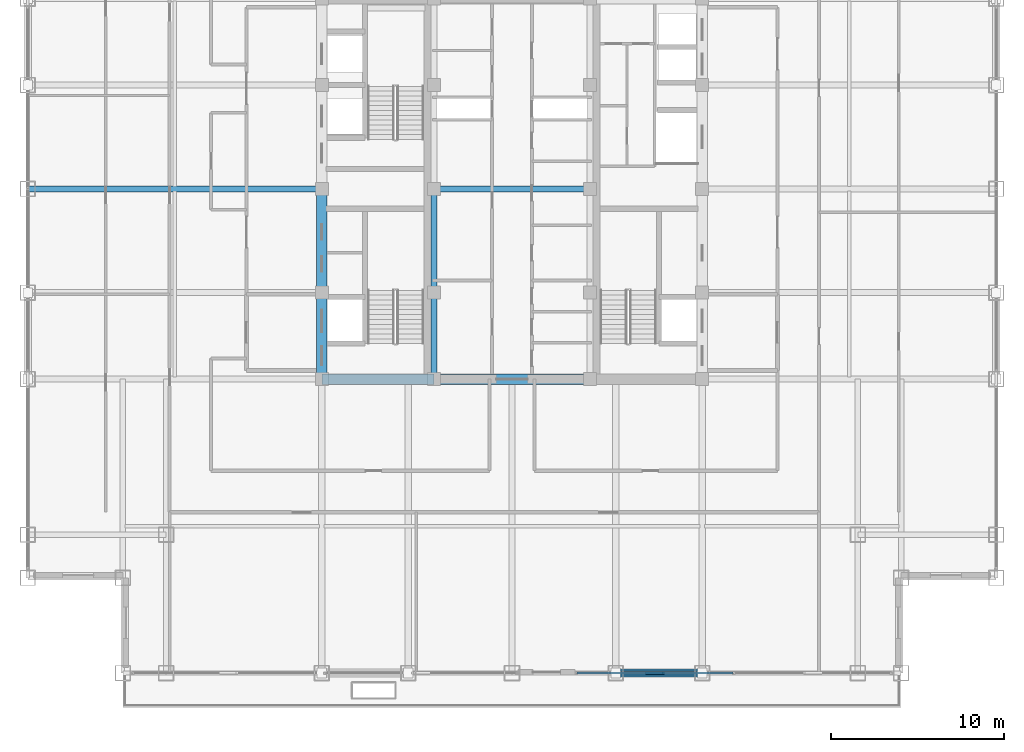
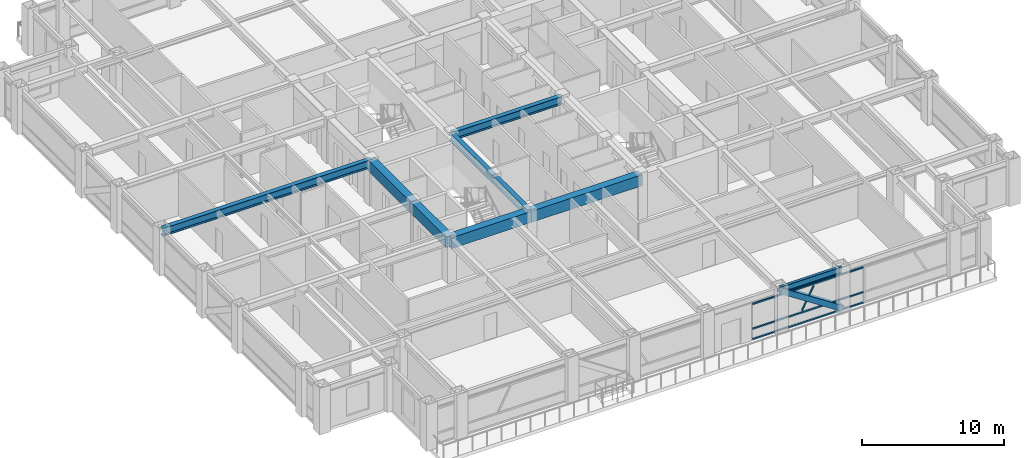
# One storey, part 8 of 32: 9 beams, 5 members, 1 element without a shape of its own.
"""IFC4 building model written with IfcOpenShell, lengths in metres."""

import ifcopenshell
import ifcopenshell.guid

model = None  # the IFC model being written
_history = None  # IfcOwnerHistory: only IFC2X3 demands one
_inside = {}  # id of a spatial element -> (the spatial element, [elements in it])
_under = {}  # id of a project, library or spatial element -> (it, [spatial elements below it])
_declared = {}  # id of a project -> (the project, [libraries it declares])
_typed = {}  # id of a type object -> (the type object, [elements of that type])
_made_of = {}  # id of a material, layer set ... -> (it, [elements and type objects made of it])


def new_model(schema):
    """Start an empty IFC model of exactly this schema.

    Asked for "IFC4X3", IfcOpenShell would pick the latest addendum, in which some entities
    have other attributes; the version numbers below select the first issue.
    IFC2X3 requires an IfcOwnerHistory on every rooted entity: one is made here for all.
    """
    global model, _history
    if schema == "IFC4X3":
        model = ifcopenshell.file(schema_version=(4, 3, 0, 0))
    else:
        model = ifcopenshell.file(schema=schema)
    _inside.clear()
    _under.clear()
    _declared.clear()
    _typed.clear()
    _made_of.clear()
    _history = None
    if model.schema == "IFC2X3":
        org = make("IfcOrganization", Name="unknown")
        user = make(
            "IfcPersonAndOrganization",
            ThePerson=make("IfcPerson", FamilyName="unknown"),
            TheOrganization=org,
        )
        app = make(
            "IfcApplication",
            ApplicationDeveloper=org,
            Version="unknown",
            ApplicationFullName="unknown",
            ApplicationIdentifier="unknown",
        )
        _history = make(
            "IfcOwnerHistory",
            OwningUser=user,
            OwningApplication=app,
            ChangeAction="ADDED",
            CreationDate=0,
        )
    return model


def make(cls, **values):
    """One entity of the class cls with the attributes given. An attribute that is None is left unset."""
    return model.create_entity(
        cls, **{name: value for name, value in values.items() if value is not None}
    )


def rooted(cls, **values):
    """An entity with a GlobalId (a new one), such as an element, a storey or a relation."""
    return make(cls, GlobalId=ifcopenshell.guid.new(), OwnerHistory=_history, **values)


def si_unit(unit_type, name, prefix=None):
    """IfcSIUnit, for example si_unit("LENGTHUNIT", "METRE", prefix="MILLI")."""
    return make("IfcSIUnit", UnitType=unit_type, Prefix=prefix, Name=name)


def assignment(units):
    """IfcUnitAssignment: the units of a project."""
    return None if units is None else make("IfcUnitAssignment", Units=units)


def point(xyz):
    """IfcCartesianPoint."""
    return None if xyz is None else make("IfcCartesianPoint", Coordinates=xyz)


def direction(xyz):
    """IfcDirection."""
    return None if xyz is None else make("IfcDirection", DirectionRatios=xyz)


def frame(location, z_axis=None, x_axis=None):
    """IfcAxis2Placement3D, a coordinate frame: its origin and axes. An axis left out is left unset."""
    return make(
        "IfcAxis2Placement3D",
        Location=point(location),
        Axis=direction(z_axis),
        RefDirection=direction(x_axis),
    )


def frame_2d(location, x_axis=None):
    """IfcAxis2Placement2D, a coordinate frame in the plane: its origin and x axis."""
    return make(
        "IfcAxis2Placement2D", Location=point(location), RefDirection=direction(x_axis)
    )


def origin():
    """The frame at (0, 0, 0) with its axes left unset."""
    return frame((0.0, 0.0, 0.0))


def origin_2d():
    """The frame at (0, 0) in the plane with its x axis left unset."""
    return frame_2d((0.0, 0.0))


def place(relative_to, where):
    """IfcLocalPlacement: puts the frame where relative to a parent placement (None: the world)."""
    return make(
        "IfcLocalPlacement", PlacementRelTo=relative_to, RelativePlacement=where
    )


def context(
    kind, dimensions, precision=None, world=None, true_north=None, identifier=None
):
    """IfcGeometricRepresentationContext, for example the 3D "Model" context."""
    return make(
        "IfcGeometricRepresentationContext",
        ContextIdentifier=identifier,
        ContextType=kind,
        CoordinateSpaceDimension=dimensions,
        Precision=precision,
        WorldCoordinateSystem=world,
        TrueNorth=true_north,
    )


def subcontext(parent, identifier, kind, view, scale=None):
    """IfcGeometricRepresentationSubContext, for example "Body" below "Model"."""
    return make(
        "IfcGeometricRepresentationSubContext",
        ContextIdentifier=identifier,
        ContextType=kind,
        ParentContext=parent,
        TargetScale=scale,
        TargetView=view,
    )


def project(units=None, contexts=None):
    """IfcProject with its units and contexts."""
    return rooted(
        "IfcProject",
        Name="project",
        RepresentationContexts=contexts,
        UnitsInContext=assignment(units),
    )


def spatial(cls, under=None, at=None, **own):
    """A site, building, storey or space (cls), placed at a placement, below another one or the project."""
    s = rooted(cls, ObjectPlacement=at, **own)
    if under is not None:
        _under.setdefault(under.id(), (under, []))[1].append(s)
    return s


def profile(cls, at=None, kind="AREA", **sizes):
    """A parametric profile (cls). Its sizes go by their IFC names, for example OverallWidth=200.0."""
    return make(cls, ProfileType=kind, Position=at, **sizes)


def rectangle(**sizes):
    """IfcRectangleProfileDef."""
    return profile("IfcRectangleProfileDef", **sizes)


def hollow_rectangle(**sizes):
    """IfcRectangleHollowProfileDef."""
    return profile("IfcRectangleHollowProfileDef", **sizes)


def i_section(**sizes):
    """IfcIShapeProfileDef."""
    return profile("IfcIShapeProfileDef", **sizes)


def extrude(swept, where, along, depth):
    """IfcExtrudedAreaSolid: the profile swept, set in the frame where, extruded along a direction by depth."""
    return make(
        "IfcExtrudedAreaSolid",
        SweptArea=swept,
        Position=where,
        ExtrudedDirection=direction(along),
        Depth=depth,
    )


def shape(context_of_items, identifier, shape_type, items):
    """IfcShapeRepresentation: the items that make up one representation, for example the "Body"."""
    return make(
        "IfcShapeRepresentation",
        ContextOfItems=context_of_items,
        RepresentationIdentifier=identifier,
        RepresentationType=shape_type,
        Items=items,
    )


def source(mapping_origin, context_of_items, identifier, shape_type, items):
    """IfcRepresentationMap: a shape defined once, which mapped items show again and again."""
    return make(
        "IfcRepresentationMap",
        MappingOrigin=mapping_origin,
        MappedRepresentation=shape(context_of_items, identifier, shape_type, items),
    )


def transform(
    local_origin,
    x_axis=None,
    y_axis=None,
    z_axis=None,
    scale=None,
    scale2=None,
    scale3=None,
    uniform=True,
):
    """IfcCartesianTransformationOperator3D, or its non-uniform kind. x_axis, y_axis, z_axis: its Axis1, 2, 3."""
    if uniform:
        return make(
            "IfcCartesianTransformationOperator3D",
            Axis1=direction(x_axis),
            Axis2=direction(y_axis),
            LocalOrigin=point(local_origin),
            Scale=scale,
            Axis3=direction(z_axis),
        )
    return make(
        "IfcCartesianTransformationOperator3DnonUniform",
        Axis1=direction(x_axis),
        Axis2=direction(y_axis),
        LocalOrigin=point(local_origin),
        Scale=scale,
        Axis3=direction(z_axis),
        Scale2=scale2,
        Scale3=scale3,
    )


def mapped(mapping_source, mapping_target):
    """IfcMappedItem: shows the shape of a source again, moved by a transform."""
    return make(
        "IfcMappedItem", MappingSource=mapping_source, MappingTarget=mapping_target
    )


def material(Name=None, Category=None):
    """IfcMaterial."""
    return make("IfcMaterial", Name=Name, Category=Category)


def material_profile(
    of_material, cross_section, Name=None, Category=None, Priority=None
):
    """IfcMaterialProfile: a cross section and its material."""
    return make(
        "IfcMaterialProfile",
        Name=Name,
        Material=of_material,
        Profile=cross_section,
        Priority=Priority,
        Category=Category,
    )


def profile_set(profiles, Name=None, composite=None):
    """IfcMaterialProfileSet."""
    return make(
        "IfcMaterialProfileSet",
        Name=Name,
        MaterialProfiles=profiles,
        CompositeProfile=composite,
    )


def made_of(thing, what):
    """Note that an element or type object is made of a material, layer set ...; save() writes the relation."""
    if what is not None:
        _made_of.setdefault(what.id(), (what, []))[1].append(thing)
    return thing


def type_object(cls, material=None, **own):
    """A type object (cls), such as IfcWallType, which elements share."""
    return made_of(rooted(cls, **own), material)


def element(
    cls,
    number,
    at=None,
    inside=None,
    cuts=None,
    type_object=None,
    material=None,
    context=None,
    identifier="Body",
    shape_type=None,
    held_by="IfcProductDefinitionShape",
    body=None,
    shapes=None,
    **own,
):
    """One element of the class cls, such as IfcWall. Its Tag is "e" and its number.

    at: its placement. inside: the storey or other place that contains it. cuts: it is an
    opening in that element (IfcRelVoidsElement). A single representation is given by context,
    identifier, shape_type and body (its items); several are given by shapes. held_by: the class
    of the entity that holds the representations. save() writes the other relations.
    """
    e = rooted(cls, Tag="e%d" % number, ObjectPlacement=at, **own)
    if body is not None:
        shapes = [shape(context, identifier, shape_type, body)]
    if shapes is not None:
        e.Representation = make(held_by, Representations=shapes)
    if inside is not None:
        _inside.setdefault(inside.id(), (inside, []))[1].append(e)
    if cuts is not None:
        rooted(
            "IfcRelVoidsElement", RelatingBuildingElement=cuts, RelatedOpeningElement=e
        )
    if type_object is not None:
        _typed.setdefault(type_object.id(), (type_object, []))[1].append(e)
    return made_of(e, material)


def aggregate(whole, parts):
    """IfcRelAggregates: a whole, such as a stair, and the parts it consists of."""
    return rooted("IfcRelAggregates", RelatingObject=whole, RelatedObjects=parts)


def save(model, path):
    """Write the relations noted so far, then the file.

    IfcRelAggregates (storeys below a building ...), IfcRelContainedInSpatialStructure (elements
    in a storey), IfcRelDefinesByType, IfcRelAssociatesMaterial and IfcRelDeclares: one each for
    every whole, place, type object, material and project.
    """
    for whole, parts in _under.values():
        aggregate(whole, parts)
    for where, things in _inside.values():
        rooted(
            "IfcRelContainedInSpatialStructure",
            RelatedElements=things,
            RelatingStructure=where,
        )
    for kind, things in _typed.values():
        rooted("IfcRelDefinesByType", RelatedObjects=things, RelatingType=kind)
    for what, things in _made_of.values():
        rooted("IfcRelAssociatesMaterial", RelatedObjects=things, RelatingMaterial=what)
    for by, libraries in _declared.values():
        rooted("IfcRelDeclares", RelatingContext=by, RelatedDefinitions=libraries)
    model.write(path)


model = new_model("IFC4")

# Units and contexts
model_context = context("Model", 3, precision=1e-05, world=origin(), true_north=direction((0.0, 1.0)))
body_context = subcontext(model_context, "Body", "Model", "MODEL_VIEW")
ifc_project = project(units=[si_unit("LENGTHUNIT", "METRE"), si_unit("AREAUNIT", "SQUARE_METRE"), si_unit("VOLUMEUNIT", "CUBIC_METRE"), si_unit("PLANEANGLEUNIT", "RADIAN"), si_unit("MASSUNIT", "GRAM", prefix="KILO")], contexts=[model_context])

# Site, building, storey
site_placement = place(None, origin())
site = spatial("IfcSite", under=ifc_project, at=site_placement, CompositionType="ELEMENT")
building_placement = place(site_placement, origin())
building = spatial("IfcBuilding", under=site, at=building_placement, Name="Khorayat Bourse Tower", CompositionType="ELEMENT")
storey_placement = place(building_placement, frame((0.0, 0.0, 273.5)))
storey = spatial("IfcBuildingStorey", under=building, at=storey_placement, Name="L64", CompositionType="ELEMENT", Elevation=273.5)

# Beams
ifc_material_1 = material(Name="Steel ASTM A992 Grade 50", Category="steel")
ifc_material_profile_1 = material_profile(ifc_material_1, i_section(OverallWidth=0.35498046875, OverallDepth=0.695068359375, WebThickness=0.015380859375, FlangeThickness=0.02490234375, FilletRadius=0.01806640625, at=origin_2d()), Name="W690X217")
ifc_profile_set_1 = profile_set([ifc_material_profile_1], Name="Steel ASTM A992 Grade 50")
beam_type_1 = type_object("IfcBeamType", Name="BM-GIRD-690", PredefinedType="BEAM", material=ifc_profile_set_1)
shared_shape_1 = source(origin(), body_context, "Body", "SweptSolid", [
    extrude(i_section(OverallWidth=0.35498046875, OverallDepth=0.695068359375, WebThickness=0.015380859375, FlangeThickness=0.02490234375, FilletRadius=0.01806640625, at=origin_2d()), origin(), (0.0, 0.0, 1.0), 5.0),
])
beam_1_placement = place(storey_placement, frame((-4.5, -11.0, 3.4326171875), z_axis=(0.0, 1.0, 0.0), x_axis=(-1.0, 0.0, 0.0)))
element("IfcBeam", 1, at=beam_1_placement, inside=storey, type_object=beam_type_1, Name="L64 BM-GIRD-690 BM-L64-CRX-05", PredefinedType="BEAM", context=body_context, shape_type="MappedRepresentation", body=[
    mapped(shared_shape_1, transform((0.0, 0.0, 0.0), scale=1.0)),
])
shared_shape_2 = source(origin(), body_context, "Body", "SweptSolid", [
    extrude(i_section(OverallWidth=0.35498046875, OverallDepth=0.695068359375, WebThickness=0.015380859375, FlangeThickness=0.02490234375, FilletRadius=0.01806640625, at=origin_2d()), origin(), (0.0, 0.0, 1.0), 6.0),
])
beam_2_placement = place(storey_placement, frame((-4.5, -6.0, 3.4326171875), z_axis=(0.0, 1.0, 0.0), x_axis=(-1.0, 0.0, 0.0)))
element("IfcBeam", 2, at=beam_2_placement, inside=storey, type_object=beam_type_1, Name="L64 BM-GIRD-690 BM-L64-CRX-06", PredefinedType="BEAM", context=body_context, shape_type="MappedRepresentation", body=[
    mapped(shared_shape_2, transform((0.0, 0.0, 0.0), scale=1.0)),
])
shared_shape_3 = source(origin(), body_context, "Body", "SweptSolid", [
    extrude(i_section(OverallWidth=0.35498046875, OverallDepth=0.695068359375, WebThickness=0.015380859375, FlangeThickness=0.02490234375, FilletRadius=0.01806640625, at=origin_2d()), origin(), (0.0, 0.0, 1.0), 9.0),
])
beam_3_placement = place(storey_placement, frame((-4.5, 0.0, 3.4326171875), z_axis=(1.0, 0.0, 0.0), x_axis=(0.0, 1.0, 0.0)))
element("IfcBeam", 3, at=beam_3_placement, inside=storey, type_object=beam_type_1, Name="L64 BM-GIRD-690 BM-L64-CRY-23", PredefinedType="BEAM", context=body_context, shape_type="MappedRepresentation", body=[
    mapped(shared_shape_3, transform((0.0, 0.0, 0.0), scale=1.0)),
])
ifc_material_2 = material(Name="Concrete C60/75", Category="concrete")
ifc_material_profile_2 = material_profile(ifc_material_2, rectangle(XDim=0.60009765625, YDim=0.949951171875, at=origin_2d()), Name="RC 600x950")
ifc_profile_set_2 = profile_set([ifc_material_profile_2], Name="Concrete C60/75")
beam_type_2 = type_object("IfcBeamType", Name="BM-COUP-950", PredefinedType="BEAM", material=ifc_profile_set_2)
shared_shape_4 = source(origin(), body_context, "Body", "SweptSolid", [
    extrude(rectangle(XDim=0.60009765625, YDim=0.949951171875, at=origin_2d()), origin(), (0.0, 0.0, 1.0), 5.0),
])
beam_4_placement = place(storey_placement, frame((-11.0, -11.0, 3.304931640625), z_axis=(0.0, 1.0, 0.0), x_axis=(-1.0, 0.0, 0.0)))
element("IfcBeam", 4, at=beam_4_placement, inside=storey, type_object=beam_type_2, Name="L64 BM-COUP-950 BM-L64-CRX-01", PredefinedType="BEAM", context=body_context, shape_type="MappedRepresentation", body=[
    mapped(shared_shape_4, transform((0.0, 0.0, 0.0), scale=1.0)),
])
shared_shape_5 = source(origin(), body_context, "Body", "SweptSolid", [
    extrude(rectangle(XDim=0.60009765625, YDim=0.949951171875, at=origin_2d()), origin(), (0.0, 0.0, 1.0), 6.0),
])
beam_5_placement = place(storey_placement, frame((-11.0, -6.0, 3.304931640625), z_axis=(0.0, 1.0, 0.0), x_axis=(-1.0, 0.0, 0.0)))
element("IfcBeam", 5, at=beam_5_placement, inside=storey, type_object=beam_type_2, Name="L64 BM-COUP-950 BM-L64-CRX-02", PredefinedType="BEAM", context=body_context, shape_type="MappedRepresentation", body=[
    mapped(shared_shape_5, transform((0.0, 0.0, 0.0), scale=1.0)),
])
shared_shape_6 = source(origin(), body_context, "Body", "SweptSolid", [
    extrude(rectangle(XDim=0.60009765625, YDim=0.949951171875, at=origin_2d()), origin(), (0.0, 0.0, 1.0), 6.5),
])
beam_6_placement = place(storey_placement, frame((-11.0, -11.0, 3.304931640625), z_axis=(1.0, 0.0, 0.0), x_axis=(0.0, 1.0, 0.0)))
element("IfcBeam", 6, at=beam_6_placement, inside=storey, type_object=beam_type_2, Name="L64 BM-COUP-950 BM-L64-CRY-17", PredefinedType="BEAM", context=body_context, shape_type="MappedRepresentation", body=[
    mapped(shared_shape_6, transform((0.0, 0.0, 0.0), scale=1.0)),
])
shared_shape_7 = source(origin(), body_context, "Body", "SweptSolid", [
    extrude(rectangle(XDim=0.60009765625, YDim=0.949951171875, at=origin_2d()), origin(), (0.0, 0.0, 1.0), 9.0),
])
beam_7_placement = place(storey_placement, frame((-4.5, -11.0, 3.304931640625), z_axis=(1.0, 0.0, 0.0), x_axis=(0.0, 1.0, 0.0)))
element("IfcBeam", 7, at=beam_7_placement, inside=storey, type_object=beam_type_2, Name="L64 BM-COUP-950 BM-L64-CRY-18", PredefinedType="BEAM", context=body_context, shape_type="MappedRepresentation", body=[
    mapped(shared_shape_7, transform((0.0, 0.0, 0.0), scale=1.0)),
])

# Member
ifc_material_3 = material(Name="Steel EN 10025-4 S460M", Category="steel")
ifc_material_profile_3 = material_profile(ifc_material_3, hollow_rectangle(XDim=0.449951171875, YDim=0.449951171875, WallThickness=0.02490234375, at=origin_2d()), Name="HSS 450x450x25")
ifc_profile_set_3 = profile_set([ifc_material_profile_3], Name="Steel EN 10025-4 S460M")
member_type_1 = type_object("IfcMemberType", Name="MBR-TUBE-450", PredefinedType="BRACE", material=ifc_profile_set_3)
shared_shape_8 = source(origin(), body_context, "Body", "SweptSolid", [
    extrude(hollow_rectangle(XDim=0.449951171875, YDim=0.449951171875, WallThickness=0.02490234375, at=origin_2d()), origin(), (0.0, 0.0, 1.0), 5.979736328125),
])
member_1_placement = place(storey_placement, frame((6.0, -28.0, 3.530029296875), z_axis=(0.836141536525, 0.0, -0.548513747227), x_axis=(0.0, 1.0, 0.0)))
element("IfcMember", 8, at=member_1_placement, inside=storey, type_object=member_type_1, Name="L64 Perimeter Tube Brace 02", PredefinedType="BRACE", context=body_context, shape_type="MappedRepresentation", body=[
    mapped(shared_shape_8, transform((0.0, 0.0, 0.0), scale=1.0)),
])

# Beams
shared_shape_9 = source(origin(), body_context, "Body", "SweptSolid", [
    extrude(i_section(OverallWidth=0.35498046875, OverallDepth=0.695068359375, WebThickness=0.015380859375, FlangeThickness=0.02490234375, FilletRadius=0.01806640625, at=origin_2d()), origin(), (0.0, 0.0, 1.0), 17.0),
])
beam_8_placement = place(storey_placement, frame((-28.0, 0.0, 3.4326171875), z_axis=(1.0, 0.0, 0.0), x_axis=(0.0, 1.0, 0.0)))
element("IfcBeam", 9, at=beam_8_placement, inside=storey, type_object=beam_type_1, Name="L64 BM-GIRD-690 BM-L64-RADX-079", PredefinedType="BEAM", context=body_context, shape_type="MappedRepresentation", body=[
    mapped(shared_shape_9, transform((0.0, 0.0, 0.0), scale=1.0)),
])
ifc_material_profile_4 = material_profile(ifc_material_1, i_section(OverallWidth=0.214111328125, OverallDepth=0.549072265625, WebThickness=0.0146484375, FlangeThickness=0.023681640625, FilletRadius=0.013916015625, at=origin_2d()), Name="W530X138")
ifc_profile_set_4 = profile_set([ifc_material_profile_4], Name="Steel ASTM A992 Grade 50")
beam_type_3 = type_object("IfcBeamType", Name="BM-SPAN-530", PredefinedType="SPANDREL", material=ifc_profile_set_4)
shared_shape_10 = source(origin(), body_context, "Body", "SweptSolid", [
    extrude(i_section(OverallWidth=0.214111328125, OverallDepth=0.549072265625, WebThickness=0.0146484375, FlangeThickness=0.023681640625, FilletRadius=0.013916015625, at=origin_2d()), origin(), (0.0, 0.0, 1.0), 5.0),
])
beam_9_placement = place(storey_placement, frame((6.0, -28.0, 3.505615234375), z_axis=(1.0, 0.0, 0.0), x_axis=(0.0, 1.0, 0.0)))
element("IfcBeam", 10, at=beam_9_placement, inside=storey, type_object=beam_type_3, Name="L64 BM-SPAN-530 BM-L64-SPN-029", PredefinedType="SPANDREL", context=body_context, shape_type="MappedRepresentation", body=[
    mapped(shared_shape_10, transform((0.0, 0.0, 0.0), scale=1.0)),
])

# Curtain wall, members
ifc_material_4 = material(Name="Aluminium EN AW-6063 T6", Category="aluminium")
curtain_wall_type = type_object("IfcCurtainWallType", Name="CW-SYS-04", PredefinedType="NOTDEFINED", material=ifc_material_4)
curtain_wall_placement = place(storey_placement, origin())
curtain_wall = element("IfcCurtainWall", 11, at=curtain_wall_placement, inside=storey, type_object=curtain_wall_type, Name="L64 Curtain Wall CW-L64-S2", PredefinedType="NOTDEFINED")
ifc_material_profile_5 = material_profile(ifc_material_4, hollow_rectangle(XDim=0.1201171875, YDim=0.1201171875, WallThickness=0.0048828125, at=origin_2d()), Name="ALU 120x120x5")
ifc_profile_set_5 = profile_set([ifc_material_profile_5], Name="Aluminium EN AW-6063 T6")
member_type_2 = type_object("IfcMemberType", Name="CWM-DIAG-120", PredefinedType="MULLION", material=ifc_profile_set_5)
shared_shape_11 = source(origin(), body_context, "Body", "SweptSolid", [
    extrude(hollow_rectangle(XDim=0.1201171875, YDim=0.1201171875, WallThickness=0.0048828125, at=origin_2d()), origin(), (0.0, 0.0, 1.0), 2.0791015625),
])
member_2_placement = place(storey_placement, frame((7.783203125, -28.0, 1.090087890625), z_axis=(0.465809344892, 0.0, 0.884885107916), x_axis=(0.0, 1.0, 0.0)))
member_2 = element("IfcMember", 12, at=member_2_placement, type_object=member_type_2, Name="CW-L64-S2 Faceted Diagonal Mullion 1", PredefinedType="MULLION", context=body_context, shape_type="MappedRepresentation", body=[
    mapped(shared_shape_11, transform((0.0, 0.0, 0.0), scale=1.0)),
])
ifc_material_profile_6 = material_profile(ifc_material_4, hollow_rectangle(XDim=0.1201171875, YDim=0.1201171875, WallThickness=0.0048828125, at=origin_2d()), Name="ALU 120x120x5")
ifc_profile_set_6 = profile_set([ifc_material_profile_6], Name="Aluminium EN AW-6063 T6")
member_type_3 = type_object("IfcMemberType", Name="CWT-HORZ-120", PredefinedType="USERDEFINED", material=ifc_profile_set_6)
shared_shape_12 = source(origin(), body_context, "Body", "SweptSolid", [
    extrude(hollow_rectangle(XDim=0.1201171875, YDim=0.1201171875, WallThickness=0.0048828125, at=origin_2d()), origin(), (0.0, 0.0, 1.0), 8.994873046875),
])
member_3_placement = place(storey_placement, frame((3.77001953125, -28.0, 0.06005859375), z_axis=(1.0, 0.0, 0.0), x_axis=(0.0, 1.0, 0.0)))
member_3 = element("IfcMember", 13, at=member_3_placement, type_object=member_type_3, Name="CW-L64-S2 Horizontal Transom 1-1", ObjectType="TRANSOM", PredefinedType="USERDEFINED", context=body_context, shape_type="MappedRepresentation", body=[
    mapped(shared_shape_12, transform((0.0, 0.0, 0.0), scale=1.0)),
])
member_4_placement = place(storey_placement, frame((3.77001953125, -28.0, 0.949951171875), z_axis=(1.0, 0.0, 0.0), x_axis=(0.0, 1.0, 0.0)))
member_4 = element("IfcMember", 14, at=member_4_placement, type_object=member_type_3, Name="CW-L64-S2 Horizontal Transom 1-2", ObjectType="TRANSOM", PredefinedType="USERDEFINED", context=body_context, shape_type="MappedRepresentation", body=[
    mapped(shared_shape_12, transform((0.0, 0.0, 0.0), scale=1.0)),
])
member_5_placement = place(storey_placement, frame((3.77001953125, -28.0, 3.070068359375), z_axis=(1.0, 0.0, 0.0), x_axis=(0.0, 1.0, 0.0)))
member_5 = element("IfcMember", 15, at=member_5_placement, type_object=member_type_3, Name="CW-L64-S2 Horizontal Transom 1-3", ObjectType="TRANSOM", PredefinedType="USERDEFINED", context=body_context, shape_type="MappedRepresentation", body=[
    mapped(shared_shape_12, transform((0.0, 0.0, 0.0), scale=1.0)),
])
aggregate(curtain_wall, [member_3, member_4, member_5, member_2])

save(model, "model.ifc")
